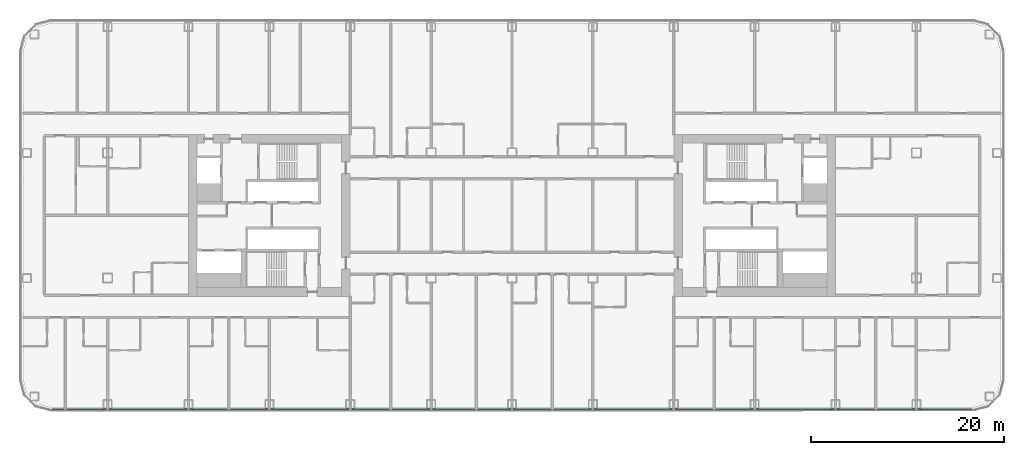
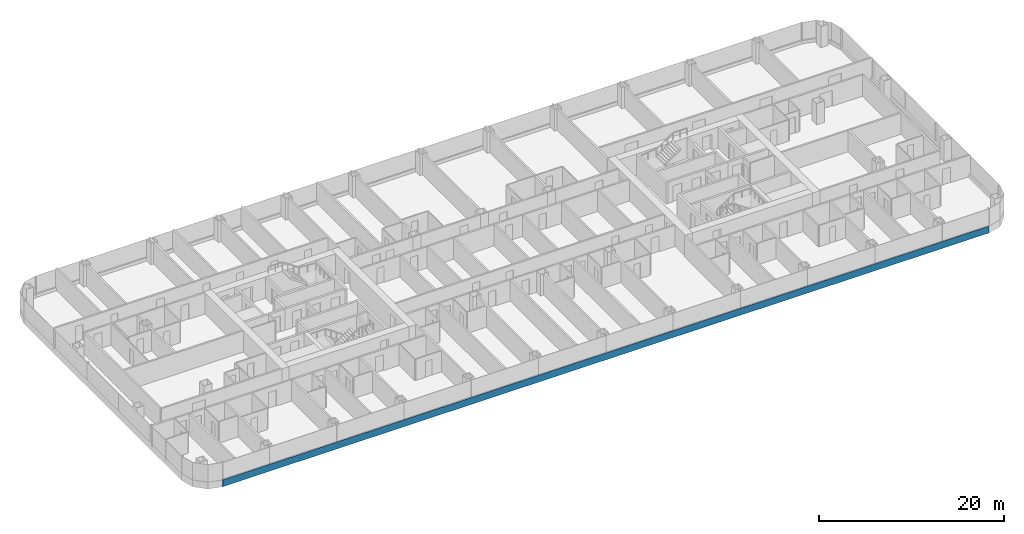
# One storey, part 5 of 29: 1 member, 1 element without a shape of its own.
"""IFC4 building model written with IfcOpenShell, lengths in metres."""

from ifc_helpers import new_model, si_unit, direction, frame, origin, origin_2d, place, context, subcontext, project, spatial, rectangle, extrude, material, layer, layer_set, material_profile, profile_set, type_object, element, aggregate, save


model = new_model("IFC4")

# Units and contexts
model_context = context("Model", 3, precision=1e-05, world=origin(), true_north=direction((0.0, 1.0)))
body_context = subcontext(model_context, "Body", "Model", "MODEL_VIEW")
ifc_project = project(units=[si_unit("LENGTHUNIT", "METRE"), si_unit("AREAUNIT", "SQUARE_METRE"), si_unit("VOLUMEUNIT", "CUBIC_METRE"), si_unit("PLANEANGLEUNIT", "RADIAN"), si_unit("MASSUNIT", "GRAM", prefix="KILO")], contexts=[model_context])

# Site, building, storey
site_placement = place(None, origin())
site = spatial("IfcSite", under=ifc_project, at=site_placement, CompositionType="ELEMENT")
building_placement = place(site_placement, origin())
building = spatial("IfcBuilding", under=site, at=building_placement, Name="Hakoniwa Tower and Hamabe Station Hall", CompositionType="ELEMENT")
storey_placement = place(building_placement, frame((0.0, 0.0, 45.39990234375)))
storey = spatial("IfcBuildingStorey", under=building, at=storey_placement, Name="L12", CompositionType="ELEMENT", Elevation=45.39990234375)

# Curtain wall, member
ifc_material_1 = material(Name="Dark low-e laminated glass", Category="glass")
ifc_layer = layer(ifc_material_1, 0.199951171875)
ifc_layer_set = layer_set([ifc_layer], Name="CW-1 UNITISED GUEST")
curtain_wall_type = type_object("IfcCurtainWallType", Name="CW-1 UNITISED GUEST", PredefinedType="NOTDEFINED", material=ifc_layer_set)
curtain_wall_placement = place(storey_placement, origin())
curtain_wall = element("IfcCurtainWall", 1, at=curtain_wall_placement, inside=storey, type_object=curtain_wall_type, Name="CW-1 curtain wall", PredefinedType="NOTDEFINED")
ifc_material_2 = material(Name="Aluminium 6063-T5 black anodised", Category="aluminium")
ifc_material_profile = material_profile(ifc_material_2, rectangle(XDim=0.199951171875, YDim=0.89990234375, at=origin_2d()), Name="CW SLAB-EDGE BAND 900X200")
ifc_profile_set = profile_set([ifc_material_profile], Name="Aluminium 6063-T5 black anodised")
member_type = type_object("IfcMemberType", Name="CW SLAB-EDGE BAND 900X200", PredefinedType="USERDEFINED", material=ifc_profile_set)
member_placement = place(storey_placement, frame((-47.839599609375, -20.199951171875, -0.099853515625), z_axis=(1.0, 0.0, 0.0), x_axis=(0.0, 1.0, 0.0)))
member = element("IfcMember", 2, at=member_placement, type_object=member_type, Name="CW-1 transom", ObjectType="TRANSOM", PredefinedType="USERDEFINED", context=body_context, shape_type="SweptSolid", body=[
    extrude(rectangle(XDim=0.199951171875, YDim=0.89990234375, at=origin_2d()), origin(), (0.0, 0.0, 1.0), 95.67919921875),
])
aggregate(curtain_wall, [member])

save(model, "model.ifc")
